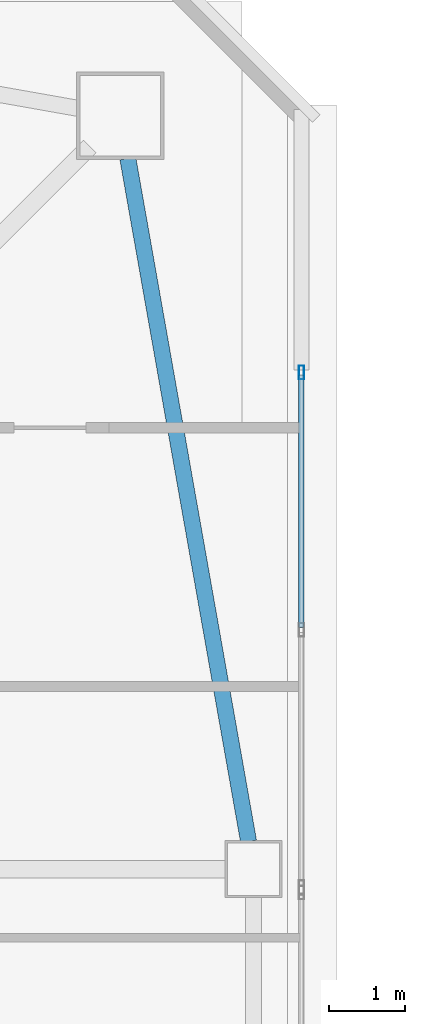
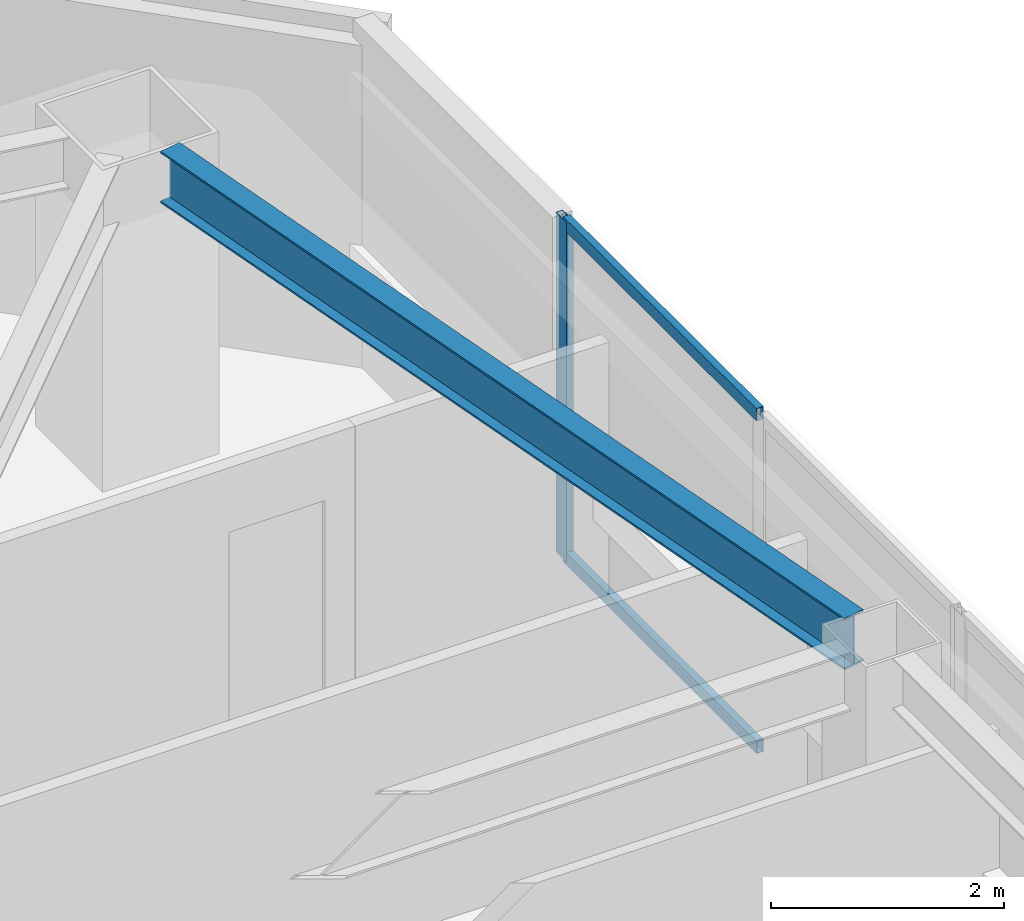
# One storey, part 16 of 43: 3 members, 1 beam, 1 element without a shape of its own.
"""IFC4 building model written with IfcOpenShell, lengths in metres."""

from ifc_helpers import new_model, si_unit, direction, frame, origin, origin_2d, place, context, subcontext, project, spatial, hollow_rectangle, i_section, extrude, material, material_profile, profile_set, type_object, element, aggregate, save


model = new_model("IFC4")

# Units and contexts
model_context = context("Model", 3, precision=1e-05, world=origin(), true_north=direction((0.0, 1.0)))
body_context = subcontext(model_context, "Body", "Model", "MODEL_VIEW")
ifc_project = project(units=[si_unit("LENGTHUNIT", "METRE"), si_unit("AREAUNIT", "SQUARE_METRE"), si_unit("VOLUMEUNIT", "CUBIC_METRE"), si_unit("PLANEANGLEUNIT", "RADIAN"), si_unit("MASSUNIT", "GRAM", prefix="KILO")], contexts=[model_context])

# Site, building, storey
site_placement = place(None, origin())
site = spatial("IfcSite", under=ifc_project, at=site_placement, CompositionType="ELEMENT")
building_placement = place(site_placement, origin())
building = spatial("IfcBuilding", under=site, at=building_placement, Name="Tashvorn Skyway Center", CompositionType="ELEMENT")
storey_placement = place(building_placement, frame((0.0, 0.0, 160.550048828125)))
storey = spatial("IfcBuildingStorey", under=building, at=storey_placement, Name="L43", CompositionType="ELEMENT", Elevation=160.550048828125)

# Beam
ifc_material_1 = material(Name="Steel ASTM A992 Grade 50", Category="steel")
ifc_material_profile_1 = material_profile(ifc_material_1, i_section(OverallWidth=0.2109375, OverallDepth=0.5390625, WebThickness=0.01171875, FlangeThickness=0.018798828125, at=origin_2d()), Name="W21X73")
ifc_profile_set_1 = profile_set([ifc_material_profile_1], Name="Steel ASTM A992 Grade 50")
beam_type = type_object("IfcBeamType", Name="BM-SPANDREL-W21X73", PredefinedType="SPANDREL", material=ifc_profile_set_1)
beam_placement = place(storey_placement, frame((58.985595703125, 37.764404296875, 3.100341796875), z_axis=(-0.174074160933, 0.984732545667, 0.0), x_axis=(-0.984732545667, -0.174074160933, 0.0)))
element("IfcBeam", 1, at=beam_placement, inside=storey, type_object=beam_type, Name="Tower 1 L43 Spandrel Beam 06", PredefinedType="SPANDREL", context=body_context, shape_type="SweptSolid", body=[
    extrude(i_section(OverallWidth=0.2109375, OverallDepth=0.5390625, WebThickness=0.01171875, FlangeThickness=0.018798828125, at=origin_2d()), origin(), (0.0, 0.0, 1.0), 9.113525390625),
])

# Curtain wall, members
ifc_material_2 = material(Name="Thermally broken bronze-anodized aluminium 6063-T6", Category="aluminium")
curtain_wall_type = type_object("IfcCurtainWallType", Name="CW-CW-Z4", PredefinedType="NOTDEFINED", material=ifc_material_2)
curtain_wall_placement = place(storey_placement, origin())
curtain_wall = element("IfcCurtainWall", 2, at=curtain_wall_placement, inside=storey, type_object=curtain_wall_type, Name="Tower 1 L43 East Unitised Curtain Wall Glazing Group 1", PredefinedType="NOTDEFINED")
ifc_material_profile_2 = material_profile(ifc_material_2, hollow_rectangle(XDim=0.070068359375, YDim=0.179931640625, WallThickness=0.00390625, at=origin_2d()), Name="ALU-MULL-70x180")
ifc_profile_set_2 = profile_set([ifc_material_profile_2], Name="Thermally broken bronze-anodized aluminium 6063-T6")
member_type_1 = type_object("IfcMemberType", Name="CWM-CW-Z4", PredefinedType="MULLION", material=ifc_profile_set_2)
member_1_placement = place(storey_placement, frame((59.679931640625, 43.92724609375, 0.0), z_axis=(0.0, 0.0, 1.0), x_axis=(1.0, 0.0, 0.0)))
member_1 = element("IfcMember", 3, at=member_1_placement, type_object=member_type_1, Name="CW-Z4 mullion 1", PredefinedType="MULLION", context=body_context, shape_type="SweptSolid", body=[
    extrude(hollow_rectangle(XDim=0.070068359375, YDim=0.179931640625, WallThickness=0.00390625, at=origin_2d()), origin(), (0.0, 0.0, 1.0), 3.550048828125),
])
ifc_material_profile_3 = material_profile(ifc_material_2, hollow_rectangle(XDim=0.070068359375, YDim=0.1298828125, WallThickness=0.00390625, at=origin_2d()), Name="ALU-TRAN-70x130")
ifc_profile_set_3 = profile_set([ifc_material_profile_3], Name="Thermally broken bronze-anodized aluminium 6063-T6")
member_type_2 = type_object("IfcMemberType", Name="CWT-CW-Z4", PredefinedType="USERDEFINED", material=ifc_profile_set_3)
member_2_placement = place(storey_placement, frame((59.679931640625, 43.89208984375, 0.034912109375), z_axis=(0.0, -1.0, 0.0), x_axis=(1.0, 0.0, 0.0)))
member_2 = element("IfcMember", 4, at=member_2_placement, type_object=member_type_2, Name="CW-Z4 transom 1.1", ObjectType="TRANSOM", PredefinedType="USERDEFINED", context=body_context, shape_type="SweptSolid", body=[
    extrude(hollow_rectangle(XDim=0.070068359375, YDim=0.1298828125, WallThickness=0.00390625, at=origin_2d()), origin(), (0.0, 0.0, 1.0), 3.312744140625),
])
member_3_placement = place(storey_placement, frame((59.679931640625, 43.89208984375, 3.514892578125), z_axis=(0.0, -1.0, 0.0), x_axis=(1.0, 0.0, 0.0)))
member_3 = element("IfcMember", 5, at=member_3_placement, type_object=member_type_2, Name="CW-Z4 transom 1.2", ObjectType="TRANSOM", PredefinedType="USERDEFINED", context=body_context, shape_type="SweptSolid", body=[
    extrude(hollow_rectangle(XDim=0.070068359375, YDim=0.1298828125, WallThickness=0.00390625, at=origin_2d()), origin(), (0.0, 0.0, 1.0), 3.312744140625),
])
aggregate(curtain_wall, [member_1, member_2, member_3])

save(model, "model.ifc")
